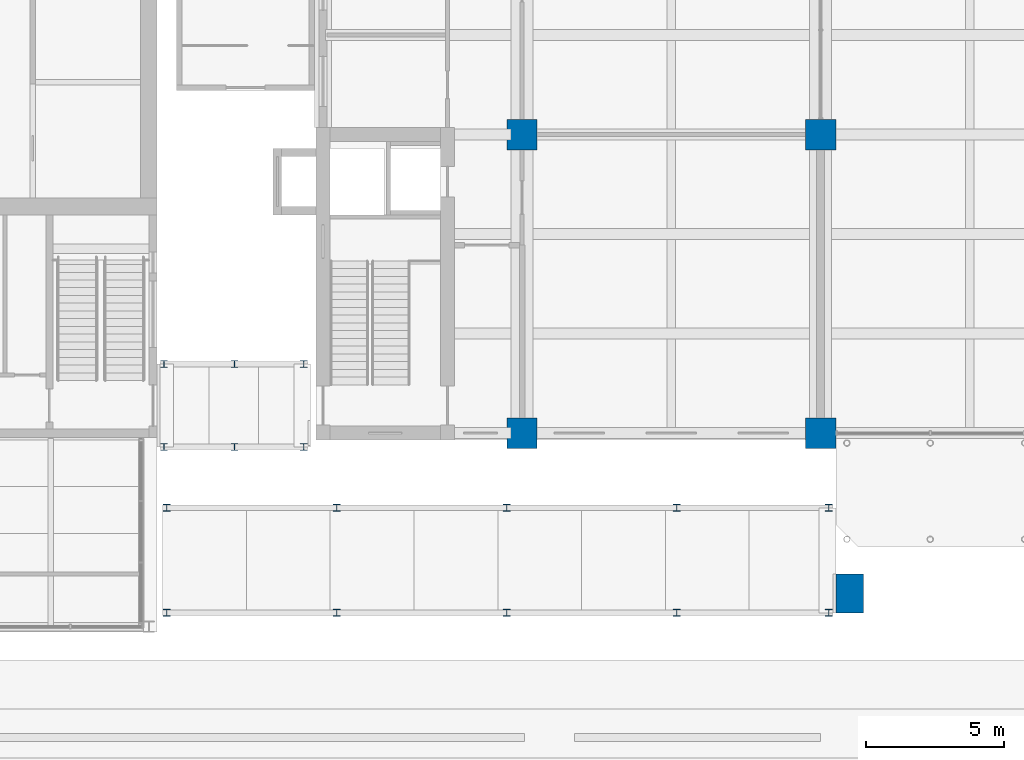
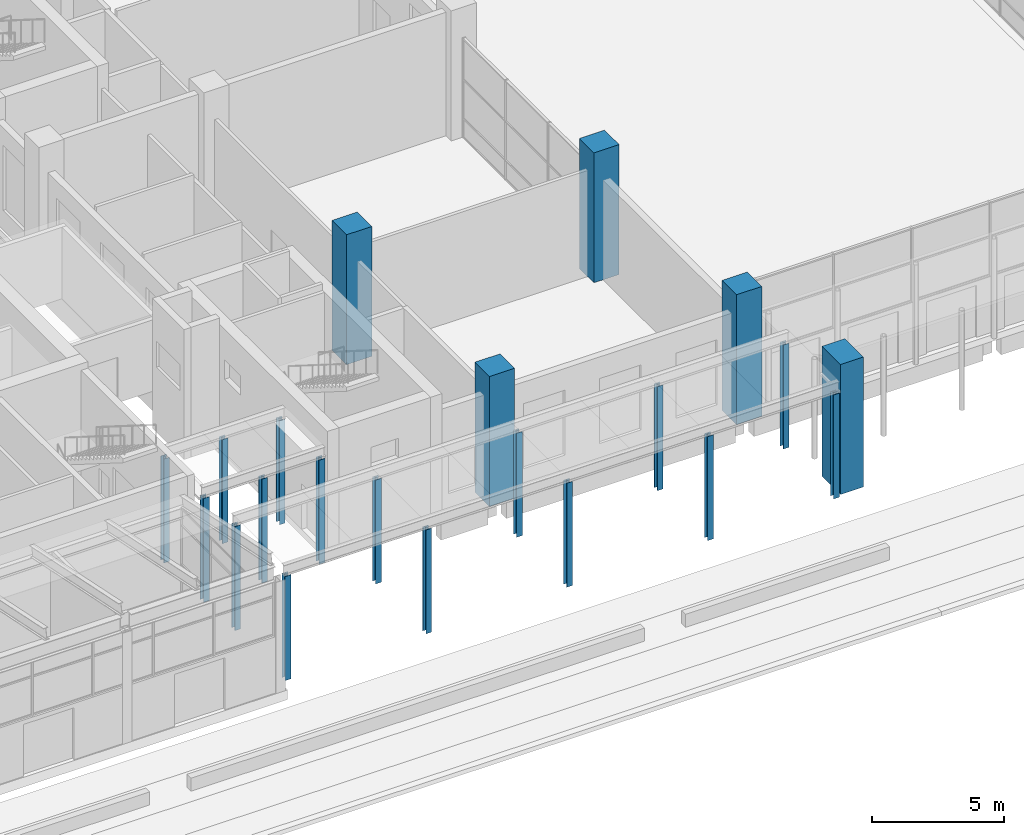
# One storey, part 1 of 71: 21 columns.
"""IFC4 building model written with IfcOpenShell, lengths in metres."""

from ifc_helpers import new_model, si_unit, direction, frame, origin, origin_2d, place, context, subcontext, project, spatial, rectangle, i_section, extrude, material, material_profile, profile_set, type_object, element, save


model = new_model("IFC4")

# Units and contexts
model_context = context("Model", 3, precision=1e-05, world=origin(), true_north=direction((0.0, 1.0)))
body_context = subcontext(model_context, "Body", "Model", "MODEL_VIEW")
ifc_project = project(units=[si_unit("LENGTHUNIT", "METRE"), si_unit("AREAUNIT", "SQUARE_METRE"), si_unit("VOLUMEUNIT", "CUBIC_METRE"), si_unit("PLANEANGLEUNIT", "RADIAN"), si_unit("MASSUNIT", "GRAM", prefix="KILO")], contexts=[model_context])

# Site, building, storey
site_placement = place(None, origin())
site = spatial("IfcSite", under=ifc_project, at=site_placement, CompositionType="ELEMENT")
building_placement = place(site_placement, origin())
building = spatial("IfcBuilding", under=site, at=building_placement, Name="Basin Gate Institute", CompositionType="ELEMENT")
storey_placement = place(building_placement, origin())
storey = spatial("IfcBuildingStorey", under=building, at=storey_placement, Name="L00", CompositionType="ELEMENT", Elevation=0.0)

# Columns
ifc_material_1 = material(Name="Structural steel SN490", Category="steel")
ifc_material_profile_1 = material_profile(ifc_material_1, i_section(OverallWidth=0.25, OverallDepth=0.25, WebThickness=0.009033203125, FlangeThickness=0.013916015625, FilletRadius=0.01611328125, at=origin_2d()), Name="H250x250")
ifc_profile_set_1 = profile_set([ifc_material_profile_1], Name="Structural steel SN490")
column_type_1 = type_object("IfcColumnType", Name="Canopy column TC3 R180", PredefinedType="COLUMN", material=ifc_profile_set_1)
for number, where, z_axis, x_axis, name in (
    (1, (55.449951171875, 34.60009765625, 0.0), (0.0, 0.0, 1.0), (1.0, 0.0, 0.0), "West court passage column 1"),
    (2, (58.0, 34.60009765625, 0.0), (0.0, 0.0, 1.0), (1.0, 0.0, 0.0), "West court passage column 2"),
    (3, (60.5, 34.60009765625, 0.0), (0.0, 0.0, 1.0), (1.0, 0.0, 0.0), "West court passage column 3"),
    (4, (55.449951171875, 37.60009765625, 0.0), (0.0, 0.0, 1.0), (1.0, 0.0, 0.0), "West court passage column 4"),
    (5, (58.0, 37.60009765625, 0.0), (0.0, 0.0, 1.0), (1.0, 0.0, 0.0), "West court passage column 5"),
    (6, (60.5, 37.60009765625, 0.0), (0.0, 0.0, 1.0), (1.0, 0.0, 0.0), "West court passage column 6"),
    (7, (55.550048828125, 28.60009765625, 0.0), (0.0, 0.0, 1.0), (1.0, 0.0, 0.0), "Forecourt canopy column 1"),
    (8, (61.699951171875, 28.60009765625, 0.0), (0.0, 0.0, 1.0), (1.0, 0.0, 0.0), "Forecourt canopy column 2"),
    (9, (67.85009765625, 28.60009765625, 0.0), (0.0, 0.0, 1.0), (1.0, 0.0, 0.0), "Forecourt canopy column 3"),
    (10, (74.0, 28.60009765625, 0.0), (0.0, 0.0, 1.0), (1.0, 0.0, 0.0), "Forecourt canopy column 4"),
    (11, (79.5, 28.60009765625, 0.0), (0.0, 0.0, 1.0), (1.0, 0.0, 0.0), "Forecourt canopy column 5"),
    (12, (55.550048828125, 32.39990234375, 0.0), (0.0, 0.0, 1.0), (1.0, 0.0, 0.0), "Forecourt canopy column 6"),
    (13, (61.699951171875, 32.39990234375, 0.0), (0.0, 0.0, 1.0), (1.0, 0.0, 0.0), "Forecourt canopy column 7"),
    (14, (67.85009765625, 32.39990234375, 0.0), (0.0, 0.0, 1.0), (1.0, 0.0, 0.0), "Forecourt canopy column 8"),
    (15, (74.0, 32.39990234375, 0.0), (0.0, 0.0, 1.0), (1.0, 0.0, 0.0), "Forecourt canopy column 9"),
    (16, (79.5, 32.39990234375, 0.0), (0.0, 0.0, 1.0), (1.0, 0.0, 0.0), "Forecourt canopy column 10"),
):
    element("IfcColumn", number, at=place(storey_placement, frame(where, z_axis=z_axis, x_axis=x_axis)), inside=storey, type_object=column_type_1, material=ifc_profile_set_1, Name=name, PredefinedType="COLUMN", context=body_context, shape_type="SweptSolid", body=[
        extrude(i_section(OverallWidth=0.25, OverallDepth=0.25, WebThickness=0.009033203125, FlangeThickness=0.013916015625, FilletRadius=0.01611328125, at=origin_2d()), origin(), (0.0, 0.0, 1.0), 4.800048828125),
    ])
ifc_material_2 = material(Name="Concrete 60 MPa", Category="concrete")
ifc_material_profile_2 = material_profile(ifc_material_2, rectangle(XDim=1.10009765625, YDim=1.10009765625, at=origin_2d()), Name="Column C1 1100 x 1100")
ifc_profile_set_2 = profile_set([ifc_material_profile_2], Name="Concrete 60 MPa")
column_type_2 = type_object("IfcColumnType", Name="Column C1 R180", PredefinedType="COLUMN", material=ifc_profile_set_2)
for number, where, z_axis, x_axis, name in (
    (17, (68.39990234375, 35.10009765625, 0.0), (0.0, 0.0, 1.0), (1.0, 0.0, 0.0), "COL/L00/5A"),
    (18, (68.39990234375, 45.89990234375, 0.0), (0.0, 0.0, 1.0), (1.0, 0.0, 0.0), "COL/L00/5B"),
    (19, (79.199951171875, 35.10009765625, 0.0), (0.0, 0.0, 1.0), (1.0, 0.0, 0.0), "COL/L00/6A"),
    (20, (79.199951171875, 45.89990234375, 0.0), (0.0, 0.0, 1.0), (1.0, 0.0, 0.0), "COL/L00/6B"),
):
    element("IfcColumn", number, at=place(storey_placement, frame(where, z_axis=z_axis, x_axis=x_axis)), inside=storey, type_object=column_type_2, material=ifc_profile_set_2, Name=name, PredefinedType="COLUMN", context=body_context, shape_type="SweptSolid", body=[
        extrude(rectangle(XDim=1.10009765625, YDim=1.10009765625, at=origin_2d()), origin(), (0.0, 0.0, 1.0), 6.0),
    ])
ifc_material_3 = material(Name="Concrete 40 MPa", Category="concrete")
ifc_material_profile_3 = material_profile(ifc_material_3, rectangle(XDim=1.0, YDim=1.39990234375, at=origin_2d()), Name="Shell portal column SC1 1000 x 1400")
ifc_profile_set_3 = profile_set([ifc_material_profile_3], Name="Concrete 40 MPa")
column_type_3 = type_object("IfcColumnType", Name="Shell portal column SC1 R180", PredefinedType="COLUMN", material=ifc_profile_set_3)
column_placement = place(storey_placement, frame((80.25, 29.300048828125, 0.0), z_axis=(0.0, 0.0, 1.0), x_axis=(1.0, 0.0, 0.0)))
element("IfcColumn", 21, at=column_placement, inside=storey, type_object=column_type_3, material=ifc_profile_set_3, Name="Atrium shell portal column R180 SW L00", PredefinedType="COLUMN", context=body_context, shape_type="SweptSolid", body=[
    extrude(rectangle(XDim=1.0, YDim=1.39990234375, at=origin_2d()), origin(), (0.0, 0.0, 1.0), 6.0),
])

save(model, "model.ifc")
